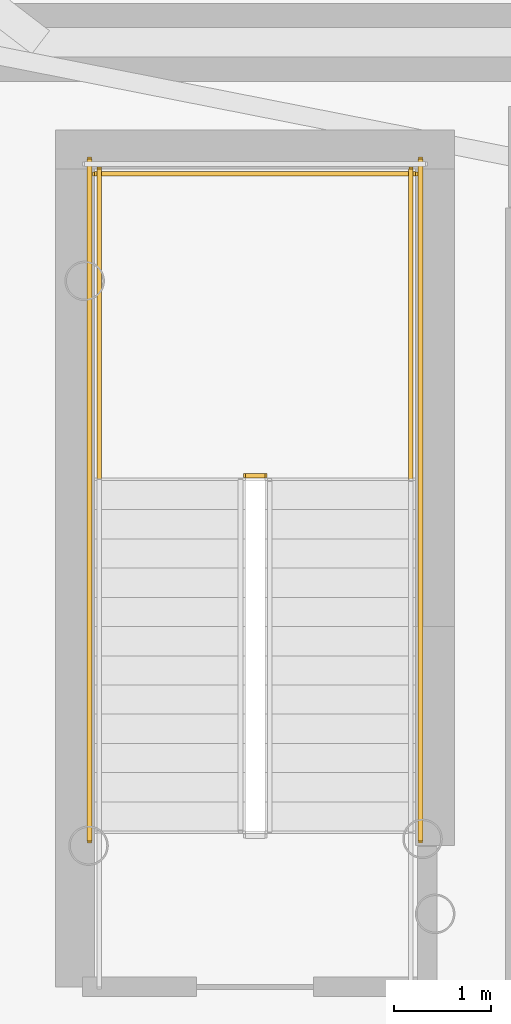
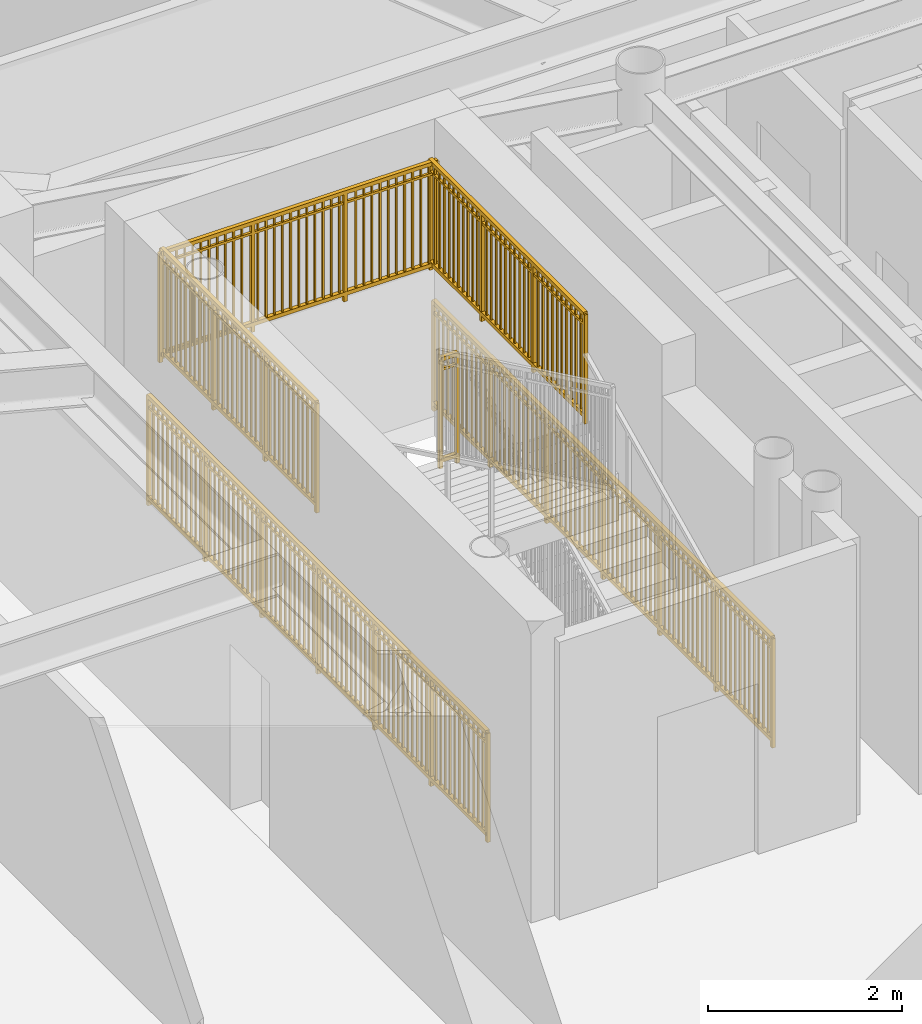
# One storey, part 17 of 20: 6 railings.
"""IFC4 building model written with IfcOpenShell, lengths in metres."""

from ifc_helpers import new_model, si_unit, direction, frame, origin, origin_2d, place, context, subcontext, project, spatial, rectangle, extrude, source, transform, mapped, material, type_object, element, save


model = new_model("IFC4")

# Units and contexts
model_context = context("Model", 3, precision=1e-05, world=origin(), true_north=direction((0.0, 1.0)))
body_context = subcontext(model_context, "Body", "Model", "MODEL_VIEW")
ifc_project = project(units=[si_unit("LENGTHUNIT", "METRE"), si_unit("AREAUNIT", "SQUARE_METRE"), si_unit("VOLUMEUNIT", "CUBIC_METRE"), si_unit("PLANEANGLEUNIT", "RADIAN"), si_unit("MASSUNIT", "GRAM", prefix="KILO")], contexts=[model_context])

# Site, building, storey
site_placement = place(None, origin())
site = spatial("IfcSite", under=ifc_project, at=site_placement, CompositionType="ELEMENT")
building_placement = place(site_placement, origin())
building = spatial("IfcBuilding", under=site, at=building_placement, Name="Linh Dai School and Residence Tower", CompositionType="ELEMENT")
storey_placement = place(building_placement, frame((0.0, 0.0, 127.199951171875)))
storey = spatial("IfcBuildingStorey", under=building, at=storey_placement, Name="L30", CompositionType="ELEMENT", Elevation=127.199951171875)

# Railings
ifc_material = material(Name="Structural Steel S355JR", Category="steel")
railing_type = type_object("IfcRailingType", Name="RL-ST-GUARD-1400", PredefinedType="GUARDRAIL", material=ifc_material)
shared_shape_1 = source(origin(), body_context, "Body", "SweptSolid", [
    extrude(rectangle(XDim=0.048095703125, YDim=0.048095703125, at=origin_2d()), frame((0.0, 0.0, 1.3759765625), z_axis=(-1.0, 0.0, 0.0), x_axis=(0.0, -1.0, 0.0)), (0.0, 0.0, 1.0), 0.199951171875),
    extrude(rectangle(XDim=0.048095703125, YDim=0.048095703125, at=origin_2d()), frame((0.0, 0.0, 0.10009765625), z_axis=(-1.0, 0.0, 0.0), x_axis=(0.0, -1.0, 0.0)), (0.0, 0.0, 1.0), 0.199951171875),
    extrude(rectangle(XDim=0.030029296875, YDim=0.030029296875, at=origin_2d()), frame((0.0, 0.0, 1.239990234375), z_axis=(-1.0, 0.0, 0.0), x_axis=(0.0, -1.0, 0.0)), (0.0, 0.0, 1.0), 0.199951171875),
    extrude(rectangle(XDim=0.0419921875, YDim=0.0419921875, at=origin_2d()), origin(), (0.0, 0.0, 1.0), 1.3759765625),
    extrude(rectangle(XDim=0.0419921875, YDim=0.0419921875, at=origin_2d()), frame((-0.199951171875, 0.0, 0.0)), (0.0, 0.0, 1.0), 1.3759765625),
])
railing_1_placement = place(storey_placement, frame((29.429931640625, 29.35009765625, 1.875)))
element("IfcRailing", 1, at=railing_1_placement, inside=storey, type_object=railing_type, Name="L30 ST1 stair guard 2", PredefinedType="GUARDRAIL", context=body_context, shape_type="MappedRepresentation", body=[
    mapped(shared_shape_1, transform((0.0, 0.0, 0.0), x_axis=(1.0, 0.0, 0.0), y_axis=(0.0, 1.0, 0.0), z_axis=(0.0, 0.0, 1.0), scale=1.0)),
])
shared_shape_2 = source(origin(), body_context, "Body", "SweptSolid", [
    extrude(rectangle(XDim=0.048095703125, YDim=0.048095703125, at=origin_2d()), frame((0.0, 0.0, 1.3759765625), z_axis=(-1.0, 0.0, 0.0), x_axis=(0.0, -1.0, 0.0)), (0.0, 0.0, 1.0), 3.300048828125),
    extrude(rectangle(XDim=0.048095703125, YDim=0.048095703125, at=origin_2d()), frame((0.0, 0.0, 0.10009765625), z_axis=(-1.0, 0.0, 0.0), x_axis=(0.0, -1.0, 0.0)), (0.0, 0.0, 1.0), 3.300048828125),
    extrude(rectangle(XDim=0.030029296875, YDim=0.030029296875, at=origin_2d()), frame((0.0, 0.0, 1.239990234375), z_axis=(-1.0, 0.0, 0.0), x_axis=(0.0, -1.0, 0.0)), (0.0, 0.0, 1.0), 3.300048828125),
    extrude(rectangle(XDim=0.02001953125, YDim=0.02001953125, at=origin_2d()), frame((-0.09716796875, 0.0, 0.10009765625)), (0.0, 0.0, 1.0), 1.251708984375),
    extrude(rectangle(XDim=0.02001953125, YDim=0.02001953125, at=origin_2d()), frame((-0.194091796875, 0.0, 0.10009765625)), (0.0, 0.0, 1.0), 1.251708984375),
    extrude(rectangle(XDim=0.02001953125, YDim=0.02001953125, at=origin_2d()), frame((-0.291259765625, 0.0, 0.10009765625)), (0.0, 0.0, 1.0), 1.251708984375),
    extrude(rectangle(XDim=0.02001953125, YDim=0.02001953125, at=origin_2d()), frame((-0.38818359375, 0.0, 0.10009765625)), (0.0, 0.0, 1.0), 1.251708984375),
    extrude(rectangle(XDim=0.02001953125, YDim=0.02001953125, at=origin_2d()), frame((-0.4853515625, 0.0, 0.10009765625)), (0.0, 0.0, 1.0), 1.251708984375),
    extrude(rectangle(XDim=0.02001953125, YDim=0.02001953125, at=origin_2d()), frame((-0.582275390625, 0.0, 0.10009765625)), (0.0, 0.0, 1.0), 1.251708984375),
    extrude(rectangle(XDim=0.02001953125, YDim=0.02001953125, at=origin_2d()), frame((-0.679443359375, 0.0, 0.10009765625)), (0.0, 0.0, 1.0), 1.251708984375),
    extrude(rectangle(XDim=0.02001953125, YDim=0.02001953125, at=origin_2d()), frame((-0.7763671875, 0.0, 0.10009765625)), (0.0, 0.0, 1.0), 1.251708984375),
    extrude(rectangle(XDim=0.02001953125, YDim=0.02001953125, at=origin_2d()), frame((-0.87353515625, 0.0, 0.10009765625)), (0.0, 0.0, 1.0), 1.251708984375),
    extrude(rectangle(XDim=0.02001953125, YDim=0.02001953125, at=origin_2d()), frame((-0.970703125, 0.0, 0.10009765625)), (0.0, 0.0, 1.0), 1.251708984375),
    extrude(rectangle(XDim=0.02001953125, YDim=0.02001953125, at=origin_2d()), frame((-1.164794921875, 0.0, 0.10009765625)), (0.0, 0.0, 1.0), 1.251708984375),
    extrude(rectangle(XDim=0.02001953125, YDim=0.02001953125, at=origin_2d()), frame((-1.26171875, 0.0, 0.10009765625)), (0.0, 0.0, 1.0), 1.251708984375),
    extrude(rectangle(XDim=0.02001953125, YDim=0.02001953125, at=origin_2d()), frame((-1.35888671875, 0.0, 0.10009765625)), (0.0, 0.0, 1.0), 1.251708984375),
    extrude(rectangle(XDim=0.02001953125, YDim=0.02001953125, at=origin_2d()), frame((-1.455810546875, 0.0, 0.10009765625)), (0.0, 0.0, 1.0), 1.251708984375),
    extrude(rectangle(XDim=0.02001953125, YDim=0.02001953125, at=origin_2d()), frame((-1.552978515625, 0.0, 0.10009765625)), (0.0, 0.0, 1.0), 1.251708984375),
    extrude(rectangle(XDim=0.02001953125, YDim=0.02001953125, at=origin_2d()), frame((-1.64990234375, 0.0, 0.10009765625)), (0.0, 0.0, 1.0), 1.251708984375),
    extrude(rectangle(XDim=0.02001953125, YDim=0.02001953125, at=origin_2d()), frame((-1.7470703125, 0.0, 0.10009765625)), (0.0, 0.0, 1.0), 1.251708984375),
    extrude(rectangle(XDim=0.02001953125, YDim=0.02001953125, at=origin_2d()), frame((-1.84423828125, 0.0, 0.10009765625)), (0.0, 0.0, 1.0), 1.251708984375),
    extrude(rectangle(XDim=0.02001953125, YDim=0.02001953125, at=origin_2d()), frame((-1.941162109375, 0.0, 0.10009765625)), (0.0, 0.0, 1.0), 1.251708984375),
    extrude(rectangle(XDim=0.02001953125, YDim=0.02001953125, at=origin_2d()), frame((-2.038330078125, 0.0, 0.10009765625)), (0.0, 0.0, 1.0), 1.251708984375),
    extrude(rectangle(XDim=0.02001953125, YDim=0.02001953125, at=origin_2d()), frame((-2.13525390625, 0.0, 0.10009765625)), (0.0, 0.0, 1.0), 1.251708984375),
    extrude(rectangle(XDim=0.02001953125, YDim=0.02001953125, at=origin_2d()), frame((-2.329345703125, 0.0, 0.10009765625)), (0.0, 0.0, 1.0), 1.251708984375),
    extrude(rectangle(XDim=0.02001953125, YDim=0.02001953125, at=origin_2d()), frame((-2.426513671875, 0.0, 0.10009765625)), (0.0, 0.0, 1.0), 1.251708984375),
    extrude(rectangle(XDim=0.02001953125, YDim=0.02001953125, at=origin_2d()), frame((-2.523681640625, 0.0, 0.10009765625)), (0.0, 0.0, 1.0), 1.251708984375),
    extrude(rectangle(XDim=0.02001953125, YDim=0.02001953125, at=origin_2d()), frame((-2.62060546875, 0.0, 0.10009765625)), (0.0, 0.0, 1.0), 1.251708984375),
    extrude(rectangle(XDim=0.02001953125, YDim=0.02001953125, at=origin_2d()), frame((-2.7177734375, 0.0, 0.10009765625)), (0.0, 0.0, 1.0), 1.251708984375),
    extrude(rectangle(XDim=0.02001953125, YDim=0.02001953125, at=origin_2d()), frame((-2.814697265625, 0.0, 0.10009765625)), (0.0, 0.0, 1.0), 1.251708984375),
    extrude(rectangle(XDim=0.02001953125, YDim=0.02001953125, at=origin_2d()), frame((-2.911865234375, 0.0, 0.10009765625)), (0.0, 0.0, 1.0), 1.251708984375),
    extrude(rectangle(XDim=0.02001953125, YDim=0.02001953125, at=origin_2d()), frame((-3.0087890625, 0.0, 0.10009765625)), (0.0, 0.0, 1.0), 1.251708984375),
    extrude(rectangle(XDim=0.02001953125, YDim=0.02001953125, at=origin_2d()), frame((-3.10595703125, 0.0, 0.10009765625)), (0.0, 0.0, 1.0), 1.251708984375),
    extrude(rectangle(XDim=0.02001953125, YDim=0.02001953125, at=origin_2d()), frame((-3.202880859375, 0.0, 0.10009765625)), (0.0, 0.0, 1.0), 1.251708984375),
    extrude(rectangle(XDim=0.0419921875, YDim=0.0419921875, at=origin_2d()), origin(), (0.0, 0.0, 1.0), 1.3759765625),
    extrude(rectangle(XDim=0.0419921875, YDim=0.0419921875, at=origin_2d()), frame((-1.10009765625, 0.0, 0.0)), (0.0, 0.0, 1.0), 1.3759765625),
    extrude(rectangle(XDim=0.0419921875, YDim=0.0419921875, at=origin_2d()), frame((-2.199951171875, 0.0, 0.0)), (0.0, 0.0, 1.0), 1.3759765625),
    extrude(rectangle(XDim=0.0419921875, YDim=0.0419921875, at=origin_2d()), frame((-3.300048828125, 0.0, 0.0)), (0.0, 0.0, 1.0), 1.3759765625),
])
railing_2_placement = place(storey_placement, frame((30.97998046875, 32.449951171875, 1.875)))
element("IfcRailing", 2, at=railing_2_placement, inside=storey, type_object=railing_type, Name="L30 ST1 stair guard 5", PredefinedType="GUARDRAIL", context=body_context, shape_type="MappedRepresentation", body=[
    mapped(shared_shape_2, transform((0.0, 0.0, 0.0), x_axis=(1.0, 0.0, 0.0), y_axis=(0.0, 1.0, 0.0), z_axis=(0.0, 0.0, 1.0), scale=1.0)),
])
shared_shape_3 = source(origin(), body_context, "Body", "SweptSolid", [
    extrude(rectangle(XDim=0.048095703125, YDim=0.048095703125, at=origin_2d()), frame((0.0, 0.0, 1.3759765625), z_axis=(0.0, 1.0, 0.0), x_axis=(-1.0, 0.0, 0.0)), (0.0, 0.0, 1.0), 7.0),
    extrude(rectangle(XDim=0.048095703125, YDim=0.048095703125, at=origin_2d()), frame((0.0, 0.0, 0.10009765625), z_axis=(0.0, 1.0, 0.0), x_axis=(-1.0, 0.0, 0.0)), (0.0, 0.0, 1.0), 7.0),
    extrude(rectangle(XDim=0.030029296875, YDim=0.030029296875, at=origin_2d()), frame((0.0, 0.0, 1.239990234375), z_axis=(0.0, 1.0, 0.0), x_axis=(-1.0, 0.0, 0.0)), (0.0, 0.0, 1.0), 7.0),
    extrude(rectangle(XDim=0.02001953125, YDim=0.02001953125, at=origin_2d()), frame((0.0, 0.09716796875, 0.10009765625)), (0.0, 0.0, 1.0), 1.251708984375),
    extrude(rectangle(XDim=0.02001953125, YDim=0.02001953125, at=origin_2d()), frame((0.0, 0.1943359375, 0.10009765625)), (0.0, 0.0, 1.0), 1.251708984375),
    extrude(rectangle(XDim=0.02001953125, YDim=0.02001953125, at=origin_2d()), frame((0.0, 0.291748046875, 0.10009765625)), (0.0, 0.0, 1.0), 1.251708984375),
    extrude(rectangle(XDim=0.02001953125, YDim=0.02001953125, at=origin_2d()), frame((0.0, 0.388916015625, 0.10009765625)), (0.0, 0.0, 1.0), 1.251708984375),
    extrude(rectangle(XDim=0.02001953125, YDim=0.02001953125, at=origin_2d()), frame((0.0, 0.486083984375, 0.10009765625)), (0.0, 0.0, 1.0), 1.251708984375),
    extrude(rectangle(XDim=0.02001953125, YDim=0.02001953125, at=origin_2d()), frame((0.0, 0.583251953125, 0.10009765625)), (0.0, 0.0, 1.0), 1.251708984375),
    extrude(rectangle(XDim=0.02001953125, YDim=0.02001953125, at=origin_2d()), frame((0.0, 0.6806640625, 0.10009765625)), (0.0, 0.0, 1.0), 1.251708984375),
    extrude(rectangle(XDim=0.02001953125, YDim=0.02001953125, at=origin_2d()), frame((0.0, 0.77783203125, 0.10009765625)), (0.0, 0.0, 1.0), 1.251708984375),
    extrude(rectangle(XDim=0.02001953125, YDim=0.02001953125, at=origin_2d()), frame((0.0, 0.875, 0.10009765625)), (0.0, 0.0, 1.0), 1.251708984375),
    extrude(rectangle(XDim=0.02001953125, YDim=0.02001953125, at=origin_2d()), frame((0.0, 0.97216796875, 0.10009765625)), (0.0, 0.0, 1.0), 1.251708984375),
    extrude(rectangle(XDim=0.02001953125, YDim=0.02001953125, at=origin_2d()), frame((0.0, 1.0693359375, 0.10009765625)), (0.0, 0.0, 1.0), 1.251708984375),
    extrude(rectangle(XDim=0.02001953125, YDim=0.02001953125, at=origin_2d()), frame((0.0, 1.263916015625, 0.10009765625)), (0.0, 0.0, 1.0), 1.251708984375),
    extrude(rectangle(XDim=0.02001953125, YDim=0.02001953125, at=origin_2d()), frame((0.0, 1.361083984375, 0.10009765625)), (0.0, 0.0, 1.0), 1.251708984375),
    extrude(rectangle(XDim=0.02001953125, YDim=0.02001953125, at=origin_2d()), frame((0.0, 1.458251953125, 0.10009765625)), (0.0, 0.0, 1.0), 1.251708984375),
    extrude(rectangle(XDim=0.02001953125, YDim=0.02001953125, at=origin_2d()), frame((0.0, 1.5556640625, 0.10009765625)), (0.0, 0.0, 1.0), 1.251708984375),
    extrude(rectangle(XDim=0.02001953125, YDim=0.02001953125, at=origin_2d()), frame((0.0, 1.65283203125, 0.10009765625)), (0.0, 0.0, 1.0), 1.251708984375),
    extrude(rectangle(XDim=0.02001953125, YDim=0.02001953125, at=origin_2d()), frame((0.0, 1.75, 0.10009765625)), (0.0, 0.0, 1.0), 1.251708984375),
    extrude(rectangle(XDim=0.02001953125, YDim=0.02001953125, at=origin_2d()), frame((0.0, 1.84716796875, 0.10009765625)), (0.0, 0.0, 1.0), 1.251708984375),
    extrude(rectangle(XDim=0.02001953125, YDim=0.02001953125, at=origin_2d()), frame((0.0, 1.9443359375, 0.10009765625)), (0.0, 0.0, 1.0), 1.251708984375),
    extrude(rectangle(XDim=0.02001953125, YDim=0.02001953125, at=origin_2d()), frame((0.0, 2.041748046875, 0.10009765625)), (0.0, 0.0, 1.0), 1.251708984375),
    extrude(rectangle(XDim=0.02001953125, YDim=0.02001953125, at=origin_2d()), frame((0.0, 2.138916015625, 0.10009765625)), (0.0, 0.0, 1.0), 1.251708984375),
    extrude(rectangle(XDim=0.02001953125, YDim=0.02001953125, at=origin_2d()), frame((0.0, 2.236083984375, 0.10009765625)), (0.0, 0.0, 1.0), 1.251708984375),
    extrude(rectangle(XDim=0.02001953125, YDim=0.02001953125, at=origin_2d()), frame((0.0, 2.4306640625, 0.10009765625)), (0.0, 0.0, 1.0), 1.251708984375),
    extrude(rectangle(XDim=0.02001953125, YDim=0.02001953125, at=origin_2d()), frame((0.0, 2.52783203125, 0.10009765625)), (0.0, 0.0, 1.0), 1.251708984375),
    extrude(rectangle(XDim=0.02001953125, YDim=0.02001953125, at=origin_2d()), frame((0.0, 2.625, 0.10009765625)), (0.0, 0.0, 1.0), 1.251708984375),
    extrude(rectangle(XDim=0.02001953125, YDim=0.02001953125, at=origin_2d()), frame((0.0, 2.72216796875, 0.10009765625)), (0.0, 0.0, 1.0), 1.251708984375),
    extrude(rectangle(XDim=0.02001953125, YDim=0.02001953125, at=origin_2d()), frame((0.0, 2.8193359375, 0.10009765625)), (0.0, 0.0, 1.0), 1.251708984375),
    extrude(rectangle(XDim=0.02001953125, YDim=0.02001953125, at=origin_2d()), frame((0.0, 2.916748046875, 0.10009765625)), (0.0, 0.0, 1.0), 1.251708984375),
    extrude(rectangle(XDim=0.02001953125, YDim=0.02001953125, at=origin_2d()), frame((0.0, 3.013916015625, 0.10009765625)), (0.0, 0.0, 1.0), 1.251708984375),
    extrude(rectangle(XDim=0.02001953125, YDim=0.02001953125, at=origin_2d()), frame((0.0, 3.111083984375, 0.10009765625)), (0.0, 0.0, 1.0), 1.251708984375),
    extrude(rectangle(XDim=0.02001953125, YDim=0.02001953125, at=origin_2d()), frame((0.0, 3.208251953125, 0.10009765625)), (0.0, 0.0, 1.0), 1.251708984375),
    extrude(rectangle(XDim=0.02001953125, YDim=0.02001953125, at=origin_2d()), frame((0.0, 3.3056640625, 0.10009765625)), (0.0, 0.0, 1.0), 1.251708984375),
    extrude(rectangle(XDim=0.02001953125, YDim=0.02001953125, at=origin_2d()), frame((0.0, 3.40283203125, 0.10009765625)), (0.0, 0.0, 1.0), 1.251708984375),
    extrude(rectangle(XDim=0.02001953125, YDim=0.02001953125, at=origin_2d()), frame((0.0, 3.59716796875, 0.10009765625)), (0.0, 0.0, 1.0), 1.251708984375),
    extrude(rectangle(XDim=0.02001953125, YDim=0.02001953125, at=origin_2d()), frame((0.0, 3.6943359375, 0.10009765625)), (0.0, 0.0, 1.0), 1.251708984375),
    extrude(rectangle(XDim=0.02001953125, YDim=0.02001953125, at=origin_2d()), frame((0.0, 3.791748046875, 0.10009765625)), (0.0, 0.0, 1.0), 1.251708984375),
    extrude(rectangle(XDim=0.02001953125, YDim=0.02001953125, at=origin_2d()), frame((0.0, 3.888916015625, 0.10009765625)), (0.0, 0.0, 1.0), 1.251708984375),
    extrude(rectangle(XDim=0.02001953125, YDim=0.02001953125, at=origin_2d()), frame((0.0, 3.986083984375, 0.10009765625)), (0.0, 0.0, 1.0), 1.251708984375),
    extrude(rectangle(XDim=0.02001953125, YDim=0.02001953125, at=origin_2d()), frame((0.0, 4.083251953125, 0.10009765625)), (0.0, 0.0, 1.0), 1.251708984375),
    extrude(rectangle(XDim=0.02001953125, YDim=0.02001953125, at=origin_2d()), frame((0.0, 4.1806640625, 0.10009765625)), (0.0, 0.0, 1.0), 1.251708984375),
    extrude(rectangle(XDim=0.02001953125, YDim=0.02001953125, at=origin_2d()), frame((0.0, 4.27783203125, 0.10009765625)), (0.0, 0.0, 1.0), 1.251708984375),
    extrude(rectangle(XDim=0.02001953125, YDim=0.02001953125, at=origin_2d()), frame((0.0, 4.375, 0.10009765625)), (0.0, 0.0, 1.0), 1.251708984375),
    extrude(rectangle(XDim=0.02001953125, YDim=0.02001953125, at=origin_2d()), frame((0.0, 4.47216796875, 0.10009765625)), (0.0, 0.0, 1.0), 1.251708984375),
    extrude(rectangle(XDim=0.02001953125, YDim=0.02001953125, at=origin_2d()), frame((0.0, 4.5693359375, 0.10009765625)), (0.0, 0.0, 1.0), 1.251708984375),
    extrude(rectangle(XDim=0.02001953125, YDim=0.02001953125, at=origin_2d()), frame((0.0, 4.763916015625, 0.10009765625)), (0.0, 0.0, 1.0), 1.251708984375),
    extrude(rectangle(XDim=0.02001953125, YDim=0.02001953125, at=origin_2d()), frame((0.0, 4.861083984375, 0.10009765625)), (0.0, 0.0, 1.0), 1.251708984375),
    extrude(rectangle(XDim=0.02001953125, YDim=0.02001953125, at=origin_2d()), frame((0.0, 4.958251953125, 0.10009765625)), (0.0, 0.0, 1.0), 1.251708984375),
    extrude(rectangle(XDim=0.02001953125, YDim=0.02001953125, at=origin_2d()), frame((0.0, 5.0556640625, 0.10009765625)), (0.0, 0.0, 1.0), 1.251708984375),
    extrude(rectangle(XDim=0.02001953125, YDim=0.02001953125, at=origin_2d()), frame((0.0, 5.15283203125, 0.10009765625)), (0.0, 0.0, 1.0), 1.251708984375),
    extrude(rectangle(XDim=0.02001953125, YDim=0.02001953125, at=origin_2d()), frame((0.0, 5.25, 0.10009765625)), (0.0, 0.0, 1.0), 1.251708984375),
    extrude(rectangle(XDim=0.02001953125, YDim=0.02001953125, at=origin_2d()), frame((0.0, 5.34716796875, 0.10009765625)), (0.0, 0.0, 1.0), 1.251708984375),
    extrude(rectangle(XDim=0.02001953125, YDim=0.02001953125, at=origin_2d()), frame((0.0, 5.4443359375, 0.10009765625)), (0.0, 0.0, 1.0), 1.251708984375),
    extrude(rectangle(XDim=0.02001953125, YDim=0.02001953125, at=origin_2d()), frame((0.0, 5.541748046875, 0.10009765625)), (0.0, 0.0, 1.0), 1.251708984375),
    extrude(rectangle(XDim=0.02001953125, YDim=0.02001953125, at=origin_2d()), frame((0.0, 5.638916015625, 0.10009765625)), (0.0, 0.0, 1.0), 1.251708984375),
    extrude(rectangle(XDim=0.02001953125, YDim=0.02001953125, at=origin_2d()), frame((0.0, 5.736083984375, 0.10009765625)), (0.0, 0.0, 1.0), 1.251708984375),
    extrude(rectangle(XDim=0.02001953125, YDim=0.02001953125, at=origin_2d()), frame((0.0, 5.9306640625, 0.10009765625)), (0.0, 0.0, 1.0), 1.251708984375),
    extrude(rectangle(XDim=0.02001953125, YDim=0.02001953125, at=origin_2d()), frame((0.0, 6.02783203125, 0.10009765625)), (0.0, 0.0, 1.0), 1.251708984375),
    extrude(rectangle(XDim=0.02001953125, YDim=0.02001953125, at=origin_2d()), frame((0.0, 6.125, 0.10009765625)), (0.0, 0.0, 1.0), 1.251708984375),
    extrude(rectangle(XDim=0.02001953125, YDim=0.02001953125, at=origin_2d()), frame((0.0, 6.22216796875, 0.10009765625)), (0.0, 0.0, 1.0), 1.251708984375),
    extrude(rectangle(XDim=0.02001953125, YDim=0.02001953125, at=origin_2d()), frame((0.0, 6.3193359375, 0.10009765625)), (0.0, 0.0, 1.0), 1.251708984375),
    extrude(rectangle(XDim=0.02001953125, YDim=0.02001953125, at=origin_2d()), frame((0.0, 6.416748046875, 0.10009765625)), (0.0, 0.0, 1.0), 1.251708984375),
    extrude(rectangle(XDim=0.02001953125, YDim=0.02001953125, at=origin_2d()), frame((0.0, 6.513916015625, 0.10009765625)), (0.0, 0.0, 1.0), 1.251708984375),
    extrude(rectangle(XDim=0.02001953125, YDim=0.02001953125, at=origin_2d()), frame((0.0, 6.611083984375, 0.10009765625)), (0.0, 0.0, 1.0), 1.251708984375),
    extrude(rectangle(XDim=0.02001953125, YDim=0.02001953125, at=origin_2d()), frame((0.0, 6.708251953125, 0.10009765625)), (0.0, 0.0, 1.0), 1.251708984375),
    extrude(rectangle(XDim=0.02001953125, YDim=0.02001953125, at=origin_2d()), frame((0.0, 6.8056640625, 0.10009765625)), (0.0, 0.0, 1.0), 1.251708984375),
    extrude(rectangle(XDim=0.02001953125, YDim=0.02001953125, at=origin_2d()), frame((0.0, 6.90283203125, 0.10009765625)), (0.0, 0.0, 1.0), 1.251708984375),
    extrude(rectangle(XDim=0.0419921875, YDim=0.0419921875, at=origin_2d()), origin(), (0.0, 0.0, 1.0), 1.3759765625),
    extrude(rectangle(XDim=0.0419921875, YDim=0.0419921875, at=origin_2d()), frame((0.0, 1.166748046875, 0.0)), (0.0, 0.0, 1.0), 1.3759765625),
    extrude(rectangle(XDim=0.0419921875, YDim=0.0419921875, at=origin_2d()), frame((0.0, 2.333251953125, 0.0)), (0.0, 0.0, 1.0), 1.3759765625),
    extrude(rectangle(XDim=0.0419921875, YDim=0.0419921875, at=origin_2d()), frame((0.0, 3.5, 0.0)), (0.0, 0.0, 1.0), 1.3759765625),
    extrude(rectangle(XDim=0.0419921875, YDim=0.0419921875, at=origin_2d()), frame((0.0, 4.666748046875, 0.0)), (0.0, 0.0, 1.0), 1.3759765625),
    extrude(rectangle(XDim=0.0419921875, YDim=0.0419921875, at=origin_2d()), frame((0.0, 5.833251953125, 0.0)), (0.0, 0.0, 1.0), 1.3759765625),
    extrude(rectangle(XDim=0.0419921875, YDim=0.0419921875, at=origin_2d()), frame((0.0, 7.0, 0.0)), (0.0, 0.0, 1.0), 1.3759765625),
])
for number, where, name in (
    (3, (31.030029296875, 25.60009765625, 0.0), "L30 ST1 stair guard 10"),
    (4, (27.6298828125, 25.60009765625, 0.0), "L30 ST1 stair guard 11"),
):
    element("IfcRailing", number, at=place(storey_placement, frame(where)), inside=storey, type_object=railing_type, Name=name, PredefinedType="GUARDRAIL", context=body_context, shape_type="MappedRepresentation", body=[
        mapped(shared_shape_3, transform((0.0, 0.0, 0.0), x_axis=(1.0, 0.0, 0.0), y_axis=(0.0, 1.0, 0.0), z_axis=(0.0, 0.0, 1.0), scale=1.0)),
    ])
shared_shape_4 = source(origin(), body_context, "Body", "SweptSolid", [
    extrude(rectangle(XDim=0.048095703125, YDim=0.048095703125, at=origin_2d()), frame((0.0, 0.0, 1.3759765625), z_axis=(0.0, 1.0, 0.0), x_axis=(-1.0, 0.0, 0.0)), (0.0, 0.0, 1.0), 3.199951171875),
    extrude(rectangle(XDim=0.048095703125, YDim=0.048095703125, at=origin_2d()), frame((0.0, 0.0, 0.10009765625), z_axis=(0.0, 1.0, 0.0), x_axis=(-1.0, 0.0, 0.0)), (0.0, 0.0, 1.0), 3.199951171875),
    extrude(rectangle(XDim=0.030029296875, YDim=0.030029296875, at=origin_2d()), frame((0.0, 0.0, 1.239990234375), z_axis=(0.0, 1.0, 0.0), x_axis=(-1.0, 0.0, 0.0)), (0.0, 0.0, 1.0), 3.199951171875),
    extrude(rectangle(XDim=0.02001953125, YDim=0.02001953125, at=origin_2d()), frame((0.0, 0.096923828125, 0.10009765625)), (0.0, 0.0, 1.0), 1.251708984375),
    extrude(rectangle(XDim=0.02001953125, YDim=0.02001953125, at=origin_2d()), frame((0.0, 0.19384765625, 0.10009765625)), (0.0, 0.0, 1.0), 1.251708984375),
    extrude(rectangle(XDim=0.02001953125, YDim=0.02001953125, at=origin_2d()), frame((0.0, 0.291015625, 0.10009765625)), (0.0, 0.0, 1.0), 1.251708984375),
    extrude(rectangle(XDim=0.02001953125, YDim=0.02001953125, at=origin_2d()), frame((0.0, 0.387939453125, 0.10009765625)), (0.0, 0.0, 1.0), 1.251708984375),
    extrude(rectangle(XDim=0.02001953125, YDim=0.02001953125, at=origin_2d()), frame((0.0, 0.48486328125, 0.10009765625)), (0.0, 0.0, 1.0), 1.251708984375),
    extrude(rectangle(XDim=0.02001953125, YDim=0.02001953125, at=origin_2d()), frame((0.0, 0.581787109375, 0.10009765625)), (0.0, 0.0, 1.0), 1.251708984375),
    extrude(rectangle(XDim=0.02001953125, YDim=0.02001953125, at=origin_2d()), frame((0.0, 0.6787109375, 0.10009765625)), (0.0, 0.0, 1.0), 1.251708984375),
    extrude(rectangle(XDim=0.02001953125, YDim=0.02001953125, at=origin_2d()), frame((0.0, 0.775634765625, 0.10009765625)), (0.0, 0.0, 1.0), 1.251708984375),
    extrude(rectangle(XDim=0.02001953125, YDim=0.02001953125, at=origin_2d()), frame((0.0, 0.872802734375, 0.10009765625)), (0.0, 0.0, 1.0), 1.251708984375),
    extrude(rectangle(XDim=0.02001953125, YDim=0.02001953125, at=origin_2d()), frame((0.0, 0.9697265625, 0.10009765625)), (0.0, 0.0, 1.0), 1.251708984375),
    extrude(rectangle(XDim=0.02001953125, YDim=0.02001953125, at=origin_2d()), frame((0.0, 1.16357421875, 0.10009765625)), (0.0, 0.0, 1.0), 1.251708984375),
    extrude(rectangle(XDim=0.02001953125, YDim=0.02001953125, at=origin_2d()), frame((0.0, 1.260498046875, 0.10009765625)), (0.0, 0.0, 1.0), 1.251708984375),
    extrude(rectangle(XDim=0.02001953125, YDim=0.02001953125, at=origin_2d()), frame((0.0, 1.357666015625, 0.10009765625)), (0.0, 0.0, 1.0), 1.251708984375),
    extrude(rectangle(XDim=0.02001953125, YDim=0.02001953125, at=origin_2d()), frame((0.0, 1.45458984375, 0.10009765625)), (0.0, 0.0, 1.0), 1.251708984375),
    extrude(rectangle(XDim=0.02001953125, YDim=0.02001953125, at=origin_2d()), frame((0.0, 1.551513671875, 0.10009765625)), (0.0, 0.0, 1.0), 1.251708984375),
    extrude(rectangle(XDim=0.02001953125, YDim=0.02001953125, at=origin_2d()), frame((0.0, 1.6484375, 0.10009765625)), (0.0, 0.0, 1.0), 1.251708984375),
    extrude(rectangle(XDim=0.02001953125, YDim=0.02001953125, at=origin_2d()), frame((0.0, 1.745361328125, 0.10009765625)), (0.0, 0.0, 1.0), 1.251708984375),
    extrude(rectangle(XDim=0.02001953125, YDim=0.02001953125, at=origin_2d()), frame((0.0, 1.84228515625, 0.10009765625)), (0.0, 0.0, 1.0), 1.251708984375),
    extrude(rectangle(XDim=0.02001953125, YDim=0.02001953125, at=origin_2d()), frame((0.0, 1.939453125, 0.10009765625)), (0.0, 0.0, 1.0), 1.251708984375),
    extrude(rectangle(XDim=0.02001953125, YDim=0.02001953125, at=origin_2d()), frame((0.0, 2.036376953125, 0.10009765625)), (0.0, 0.0, 1.0), 1.251708984375),
    extrude(rectangle(XDim=0.02001953125, YDim=0.02001953125, at=origin_2d()), frame((0.0, 2.230224609375, 0.10009765625)), (0.0, 0.0, 1.0), 1.251708984375),
    extrude(rectangle(XDim=0.02001953125, YDim=0.02001953125, at=origin_2d()), frame((0.0, 2.3271484375, 0.10009765625)), (0.0, 0.0, 1.0), 1.251708984375),
    extrude(rectangle(XDim=0.02001953125, YDim=0.02001953125, at=origin_2d()), frame((0.0, 2.42431640625, 0.10009765625)), (0.0, 0.0, 1.0), 1.251708984375),
    extrude(rectangle(XDim=0.02001953125, YDim=0.02001953125, at=origin_2d()), frame((0.0, 2.521240234375, 0.10009765625)), (0.0, 0.0, 1.0), 1.251708984375),
    extrude(rectangle(XDim=0.02001953125, YDim=0.02001953125, at=origin_2d()), frame((0.0, 2.6181640625, 0.10009765625)), (0.0, 0.0, 1.0), 1.251708984375),
    extrude(rectangle(XDim=0.02001953125, YDim=0.02001953125, at=origin_2d()), frame((0.0, 2.715087890625, 0.10009765625)), (0.0, 0.0, 1.0), 1.251708984375),
    extrude(rectangle(XDim=0.02001953125, YDim=0.02001953125, at=origin_2d()), frame((0.0, 2.81201171875, 0.10009765625)), (0.0, 0.0, 1.0), 1.251708984375),
    extrude(rectangle(XDim=0.02001953125, YDim=0.02001953125, at=origin_2d()), frame((0.0, 2.908935546875, 0.10009765625)), (0.0, 0.0, 1.0), 1.251708984375),
    extrude(rectangle(XDim=0.02001953125, YDim=0.02001953125, at=origin_2d()), frame((0.0, 3.006103515625, 0.10009765625)), (0.0, 0.0, 1.0), 1.251708984375),
    extrude(rectangle(XDim=0.02001953125, YDim=0.02001953125, at=origin_2d()), frame((0.0, 3.10302734375, 0.10009765625)), (0.0, 0.0, 1.0), 1.251708984375),
    extrude(rectangle(XDim=0.0419921875, YDim=0.0419921875, at=origin_2d()), origin(), (0.0, 0.0, 1.0), 1.3759765625),
    extrude(rectangle(XDim=0.0419921875, YDim=0.0419921875, at=origin_2d()), frame((0.0, 1.066650390625, 0.0)), (0.0, 0.0, 1.0), 1.3759765625),
    extrude(rectangle(XDim=0.0419921875, YDim=0.0419921875, at=origin_2d()), frame((0.0, 2.13330078125, 0.0)), (0.0, 0.0, 1.0), 1.3759765625),
    extrude(rectangle(XDim=0.0419921875, YDim=0.0419921875, at=origin_2d()), frame((0.0, 3.199951171875, 0.0)), (0.0, 0.0, 1.0), 1.3759765625),
])
for number, where, name in (
    (5, (30.929931640625, 29.300048828125, 1.875), "L30 ST1 stair guard 3"),
    (6, (27.72998046875, 29.300048828125, 1.875), "L30 ST1 stair guard 4"),
):
    element("IfcRailing", number, at=place(storey_placement, frame(where)), inside=storey, type_object=railing_type, Name=name, PredefinedType="GUARDRAIL", context=body_context, shape_type="MappedRepresentation", body=[
        mapped(shared_shape_4, transform((0.0, 0.0, 0.0), x_axis=(1.0, 0.0, 0.0), y_axis=(0.0, 1.0, 0.0), z_axis=(0.0, 0.0, 1.0), scale=1.0)),
    ])

save(model, "model.ifc")
